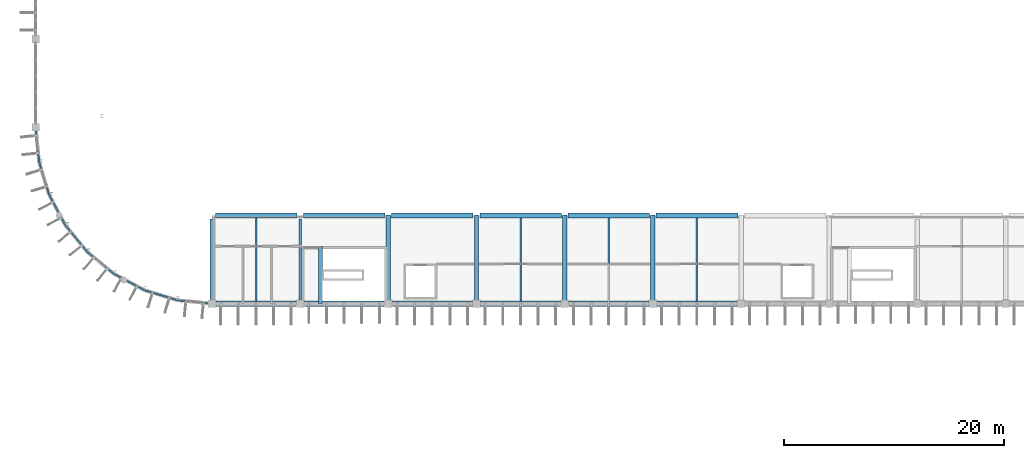
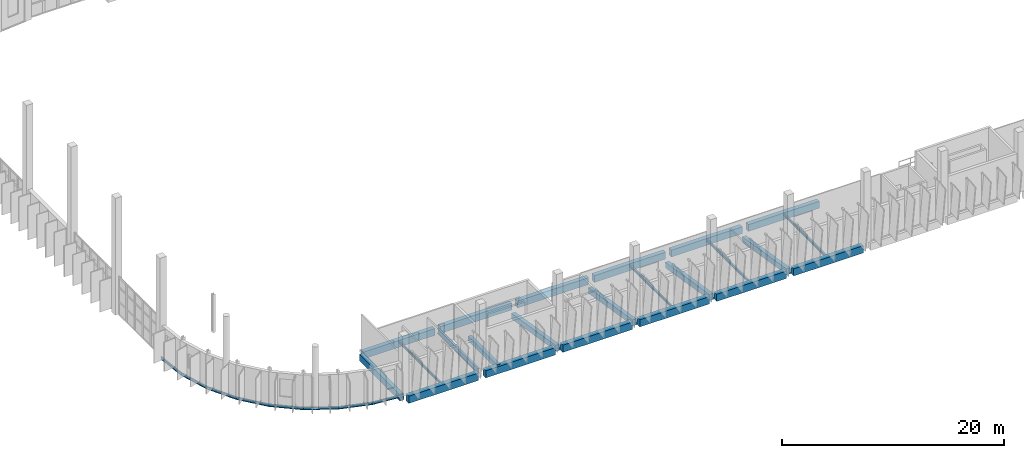
# One storey, part 9 of 66: 31 beams.
"""IFC4 building model written with IfcOpenShell, lengths in metres."""

from ifc_helpers import new_model, si_unit, direction, frame, origin, origin_2d, place, context, subcontext, project, spatial, rectangle, i_section, extrude, material, material_profile, profile_set, type_object, element, save


model = new_model("IFC4")

# Units and contexts
model_context = context("Model", 3, precision=1e-05, world=origin(), true_north=direction((0.0, 1.0)))
body_context = subcontext(model_context, "Body", "Model", "MODEL_VIEW")
ifc_project = project(units=[si_unit("LENGTHUNIT", "METRE"), si_unit("AREAUNIT", "SQUARE_METRE"), si_unit("VOLUMEUNIT", "CUBIC_METRE"), si_unit("PLANEANGLEUNIT", "RADIAN"), si_unit("MASSUNIT", "GRAM", prefix="KILO")], contexts=[model_context])

# Site, building, storey
site_placement = place(None, origin())
site = spatial("IfcSite", under=ifc_project, at=site_placement, CompositionType="ELEMENT")
building_placement = place(site_placement, origin())
building = spatial("IfcBuilding", under=site, at=building_placement, Name="Drelvana Railside Aquatics Centre", CompositionType="ELEMENT")
storey_placement = place(building_placement, frame((0.0, 0.0, 10.199951171875)))
storey = spatial("IfcBuildingStorey", under=building, at=storey_placement, Name="L02", CompositionType="ELEMENT", Elevation=10.199951171875)

# Beams
ifc_material_1 = material(Name="Concrete C40/50", Category="concrete")
ifc_material_profile_1 = material_profile(ifc_material_1, rectangle(XDim=0.35009765625, YDim=0.550048828125, at=origin_2d()), Name="RC 350x550")
ifc_profile_set_1 = profile_set([ifc_material_profile_1], Name="Concrete C40/50")
beam_type_1 = type_object("IfcBeamType", Name="STR-BM-BM-01-RC-350x550", PredefinedType="BEAM", material=ifc_profile_set_1)
beam_1_placement = place(storey_placement, frame((25.85009765625, 16.0, -0.474853515625), z_axis=(0.0, 1.0, 0.0), x_axis=(-1.0, 0.0, 0.0)))
element("IfcBeam", 1, at=beam_1_placement, inside=storey, type_object=beam_type_1, Name="Stair ST-01 L02 landing beam", PredefinedType="BEAM", context=body_context, shape_type="SweptSolid", body=[
    extrude(rectangle(XDim=0.35009765625, YDim=0.550048828125, at=origin_2d()), origin(), (0.0, 0.0, 1.0), 5.199951171875),
])
ifc_material_profile_2 = material_profile(ifc_material_1, rectangle(XDim=0.39990234375, YDim=0.699951171875, at=origin_2d()), Name="RC 400x700")
ifc_profile_set_2 = profile_set([ifc_material_profile_2], Name="Concrete C40/50")
beam_type_2 = type_object("IfcBeamType", Name="STR-BM-BM-03-RC-400x700", PredefinedType="BEAM", material=ifc_profile_set_2)
beam_2_placement = place(storey_placement, frame((16.0, 16.375, -0.599853515625), z_axis=(0.0, 1.0, 0.0), x_axis=(-1.0, 0.0, 0.0)))
element("IfcBeam", 2, at=beam_2_placement, inside=storey, type_object=beam_type_2, Name="Girder BM-03 (L02)", PredefinedType="BEAM", context=body_context, shape_type="SweptSolid", body=[
    extrude(rectangle(XDim=0.39990234375, YDim=0.699951171875, at=origin_2d()), origin(), (0.0, 0.0, 1.0), 7.324951171875),
])
ifc_material_profile_3 = material_profile(ifc_material_1, rectangle(XDim=0.449951171875, YDim=0.75, at=origin_2d()), Name="RC 450x750")
ifc_profile_set_3 = profile_set([ifc_material_profile_3], Name="Concrete C40/50")
beam_type_3 = type_object("IfcBeamType", Name="STR-BM-BM-04-RC-450x750", PredefinedType="BEAM", material=ifc_profile_set_3)
for number, where, z_axis, x_axis, name in (
    (3, (16.300048828125, 24.0, -0.625), (1.0, 0.0, 0.0), (0.0, 1.0, 0.0), "Girder BM-04 (L02)"),
    (4, (24.300048828125, 24.0, -0.625), (1.0, 0.0, 0.0), (0.0, 1.0, 0.0), "Girder BM-04 (L02)"),
    (5, (32.300048828125, 24.0, -0.625), (1.0, 0.0, 0.0), (0.0, 1.0, 0.0), "Girder BM-04 (L02)"),
    (6, (40.300048828125, 24.0, -0.625), (1.0, 0.0, 0.0), (0.0, 1.0, 0.0), "Girder BM-04 (L02)"),
    (7, (48.300048828125, 24.0, -0.625), (1.0, 0.0, 0.0), (0.0, 1.0, 0.0), "Girder BM-04 (L02)"),
    (8, (56.300048828125, 24.0, -0.625), (1.0, 0.0, 0.0), (0.0, 1.0, 0.0), "Girder BM-04 (L02)"),
):
    element("IfcBeam", number, at=place(storey_placement, frame(where, z_axis=z_axis, x_axis=x_axis)), inside=storey, type_object=beam_type_3, Name=name, PredefinedType="BEAM", context=body_context, shape_type="SweptSolid", body=[
        extrude(rectangle(XDim=0.449951171875, YDim=0.75, at=origin_2d()), origin(), (0.0, 0.0, 1.0), 7.39990234375),
    ])
ifc_material_profile_4 = material_profile(ifc_material_1, rectangle(XDim=0.5, YDim=0.800048828125, at=origin_2d()), Name="RC 500x800")
ifc_profile_set_4 = profile_set([ifc_material_profile_4], Name="Concrete C40/50")
beam_type_4 = type_object("IfcBeamType", Name="STR-BM-BM-06-RC-500x800", PredefinedType="SPANDREL", material=ifc_profile_set_4)
for number, where, z_axis, x_axis, name in (
    (9, (16.375, 16.0, -0.64990234375), (1.0, 0.0, 0.0), (0.0, 1.0, 0.0), "Girder BM-06 (L02)"),
    (10, (24.375, 16.0, -0.64990234375), (1.0, 0.0, 0.0), (0.0, 1.0, 0.0), "Girder BM-06 (L02)"),
    (11, (32.375, 16.0, -0.64990234375), (1.0, 0.0, 0.0), (0.0, 1.0, 0.0), "Girder BM-06 (L02)"),
    (12, (40.375, 16.0, -0.64990234375), (1.0, 0.0, 0.0), (0.0, 1.0, 0.0), "Girder BM-06 (L02)"),
    (13, (48.375, 16.0, -0.64990234375), (1.0, 0.0, 0.0), (0.0, 1.0, 0.0), "Girder BM-06 (L02)"),
    (14, (56.375, 16.0, -0.64990234375), (1.0, 0.0, 0.0), (0.0, 1.0, 0.0), "Girder BM-06 (L02)"),
):
    element("IfcBeam", number, at=place(storey_placement, frame(where, z_axis=z_axis, x_axis=x_axis)), inside=storey, type_object=beam_type_4, Name=name, PredefinedType="SPANDREL", context=body_context, shape_type="SweptSolid", body=[
        extrude(rectangle(XDim=0.5, YDim=0.800048828125, at=origin_2d()), origin(), (0.0, 0.0, 1.0), 7.25),
    ])
ifc_material_profile_5 = material_profile(ifc_material_1, rectangle(XDim=0.39990234375, YDim=0.60009765625, at=origin_2d()), Name="RC 400x600")
ifc_profile_set_5 = profile_set([ifc_material_profile_5], Name="Concrete C40/50")
beam_type_5 = type_object("IfcBeamType", Name="STR-BM-RK-01-RC-400x600", PredefinedType="USERDEFINED", material=ifc_profile_set_5)
for number, where, z_axis, x_axis, name in (
    (15, (32.0, 24.0, -1.849853515625), (0.0, -0.987056549535, 0.160372591239), (1.0, 0.0, 0.0), "Upper stand raker beam RK-01 X32"),
    (16, (40.0, 24.0, -1.849853515625), (0.0, -0.987056549535, 0.160372591239), (1.0, 0.0, 0.0), "Upper stand raker beam RK-01 X40"),
    (17, (48.0, 24.0, -1.849853515625), (0.0, -0.987056549535, 0.160372591239), (1.0, 0.0, 0.0), "Upper stand raker beam RK-01 X48"),
    (18, (56.0, 24.0, -1.849853515625), (0.0, -0.987056549535, 0.160372591239), (1.0, 0.0, 0.0), "Upper stand raker beam RK-01 X56"),
):
    element("IfcBeam", number, at=place(storey_placement, frame(where, z_axis=z_axis, x_axis=x_axis)), inside=storey, type_object=beam_type_5, Name=name, ObjectType="RAKER", PredefinedType="USERDEFINED", context=body_context, shape_type="SweptSolid", body=[
        extrude(rectangle(XDim=0.39990234375, YDim=0.60009765625, at=origin_2d()), origin(), (0.0, 0.0, 1.0), 8.10498046875),
    ])
ifc_material_2 = material(Name="Structural steel S355", Category="steel")
ifc_material_profile_6 = material_profile(ifc_material_2, i_section(OverallWidth=0.2099609375, OverallDepth=0.550048828125, WebThickness=0.010986328125, FlangeThickness=0.01708984375, at=origin_2d()), Name="IPE 550")
ifc_profile_set_6 = profile_set([ifc_material_profile_6], Name="Structural steel S355")
beam_type_6 = type_object("IfcBeamType", Name="STR-SBM-SB-04-IPE-550", PredefinedType="SPANDREL", material=ifc_profile_set_6)
beam_3_placement = place(storey_placement, frame((24.0, 16.375, -0.52490234375), z_axis=(0.0, 1.0, 0.0), x_axis=(-1.0, 0.0, 0.0)))
element("IfcBeam", 19, at=beam_3_placement, inside=storey, type_object=beam_type_6, Name="Girder SB-04 (L02)", PredefinedType="SPANDREL", context=body_context, shape_type="SweptSolid", body=[
    extrude(i_section(OverallWidth=0.2099609375, OverallDepth=0.550048828125, WebThickness=0.010986328125, FlangeThickness=0.01708984375, at=origin_2d()), origin(), (0.0, 0.0, 1.0), 7.324951171875),
])
ifc_material_profile_7 = material_profile(ifc_material_2, i_section(OverallWidth=0.135009765625, OverallDepth=0.27001953125, WebThickness=0.006591796875, FlangeThickness=0.01025390625, at=origin_2d()), Name="IPE 270")
ifc_profile_set_7 = profile_set([ifc_material_profile_7], Name="Structural steel S355")
beam_type_7 = type_object("IfcBeamType", Name="STR-SBM-SJ-02-IPE-270", PredefinedType="JOIST", material=ifc_profile_set_7)
for number, where, z_axis, x_axis, name in (
    (20, (20.0, 16.25, -0.385009765625), (0.0, 1.0, 0.0), (-1.0, 0.0, 0.0), "Secondary floor joist SJ-02 (L02)"),
    (21, (44.0, 16.25, -0.385009765625), (0.0, 1.0, 0.0), (-1.0, 0.0, 0.0), "Secondary floor joist SJ-02 (L02)"),
    (22, (52.0, 16.25, -0.385009765625), (0.0, 1.0, 0.0), (-1.0, 0.0, 0.0), "Secondary floor joist SJ-02 (L02)"),
    (23, (60.0, 16.25, -0.385009765625), (0.0, 1.0, 0.0), (-1.0, 0.0, 0.0), "Secondary floor joist SJ-02 (L02)"),
):
    element("IfcBeam", number, at=place(storey_placement, frame(where, z_axis=z_axis, x_axis=x_axis)), inside=storey, type_object=beam_type_7, Name=name, PredefinedType="JOIST", context=body_context, shape_type="SweptSolid", body=[
        extrude(i_section(OverallWidth=0.135009765625, OverallDepth=0.27001953125, WebThickness=0.006591796875, FlangeThickness=0.01025390625, at=origin_2d()), origin(), (0.0, 0.0, 1.0), 7.52490234375),
    ])
for number, where, z_axis, x_axis, name in (
    (24, (0.0, 32.0, -0.135009765625), (0.098000751113, -0.995186340733, 0.0), (0.995186340733, 0.098000751113, 0.0), "V1SW L02 curved spandrel beam 1"),
    (25, (0.307373046875, 28.878662109375, -0.135009765625), (0.290331426072, -0.956926153386, 0.0), (0.956926153386, 0.290331426072, 0.0), "V1SW L02 curved spandrel beam 2"),
):
    element("IfcBeam", number, at=place(storey_placement, frame(where, z_axis=z_axis, x_axis=x_axis)), inside=storey, type_object=beam_type_7, Name=name, PredefinedType="JOIST", context=body_context, shape_type="SweptSolid", body=[
        extrude(i_section(OverallWidth=0.135009765625, OverallDepth=0.27001953125, WebThickness=0.006591796875, FlangeThickness=0.01025390625, at=origin_2d()), origin(), (0.0, 0.0, 1.0), 3.136474609375),
    ])
beam_4_placement = place(storey_placement, frame((1.218017578125, 25.877197265625, -0.135009765625), z_axis=(0.471363701892, -0.881938921093, 0.0), x_axis=(0.881938921093, 0.471363701892, 0.0)))
element("IfcBeam", 26, at=beam_4_placement, inside=storey, type_object=beam_type_7, Name="V1SW L02 curved spandrel beam 3", PredefinedType="JOIST", context=body_context, shape_type="SweptSolid", body=[
    extrude(i_section(OverallWidth=0.135009765625, OverallDepth=0.27001953125, WebThickness=0.006591796875, FlangeThickness=0.01025390625, at=origin_2d()), origin(), (0.0, 0.0, 1.0), 3.13671875),
])
for number, where, z_axis, x_axis, name in (
    (27, (2.696533203125, 23.11083984375, -0.135009765625), (0.634385792339, -0.773016601683, 0.0), (0.773016601683, 0.634385792339, 0.0), "V1SW L02 curved spandrel beam 4"),
    (28, (4.686279296875, 20.686279296875, -0.135009765625), (0.773016601683, -0.634385792339, 0.0), (0.634385792339, 0.773016601683, 0.0), "V1SW L02 curved spandrel beam 5"),
):
    element("IfcBeam", number, at=place(storey_placement, frame(where, z_axis=z_axis, x_axis=x_axis)), inside=storey, type_object=beam_type_7, Name=name, PredefinedType="JOIST", context=body_context, shape_type="SweptSolid", body=[
        extrude(i_section(OverallWidth=0.135009765625, OverallDepth=0.27001953125, WebThickness=0.006591796875, FlangeThickness=0.01025390625, at=origin_2d()), origin(), (0.0, 0.0, 1.0), 3.136474609375),
    ])
beam_5_placement = place(storey_placement, frame((7.11083984375, 18.696533203125, -0.135009765625), z_axis=(0.881938921093, -0.471363701892, 0.0), x_axis=(0.471363701892, 0.881938921093, 0.0)))
element("IfcBeam", 29, at=beam_5_placement, inside=storey, type_object=beam_type_7, Name="V1SW L02 curved spandrel beam 6", PredefinedType="JOIST", context=body_context, shape_type="SweptSolid", body=[
    extrude(i_section(OverallWidth=0.135009765625, OverallDepth=0.27001953125, WebThickness=0.006591796875, FlangeThickness=0.01025390625, at=origin_2d()), origin(), (0.0, 0.0, 1.0), 3.13671875),
])
for number, where, z_axis, x_axis, name in (
    (30, (9.877197265625, 17.218017578125, -0.135009765625), (0.956926153386, -0.290331426072, 0.0), (0.290331426072, 0.956926153386, 0.0), "V1SW L02 curved spandrel beam 7"),
    (31, (12.878662109375, 16.307373046875, -0.135009765625), (0.995186340733, -0.098000751113, 0.0), (0.098000751113, 0.995186340733, 0.0), "V1SW L02 curved spandrel beam 8"),
):
    element("IfcBeam", number, at=place(storey_placement, frame(where, z_axis=z_axis, x_axis=x_axis)), inside=storey, type_object=beam_type_7, Name=name, PredefinedType="JOIST", context=body_context, shape_type="SweptSolid", body=[
        extrude(i_section(OverallWidth=0.135009765625, OverallDepth=0.27001953125, WebThickness=0.006591796875, FlangeThickness=0.01025390625, at=origin_2d()), origin(), (0.0, 0.0, 1.0), 3.136474609375),
    ])

save(model, "model.ifc")
